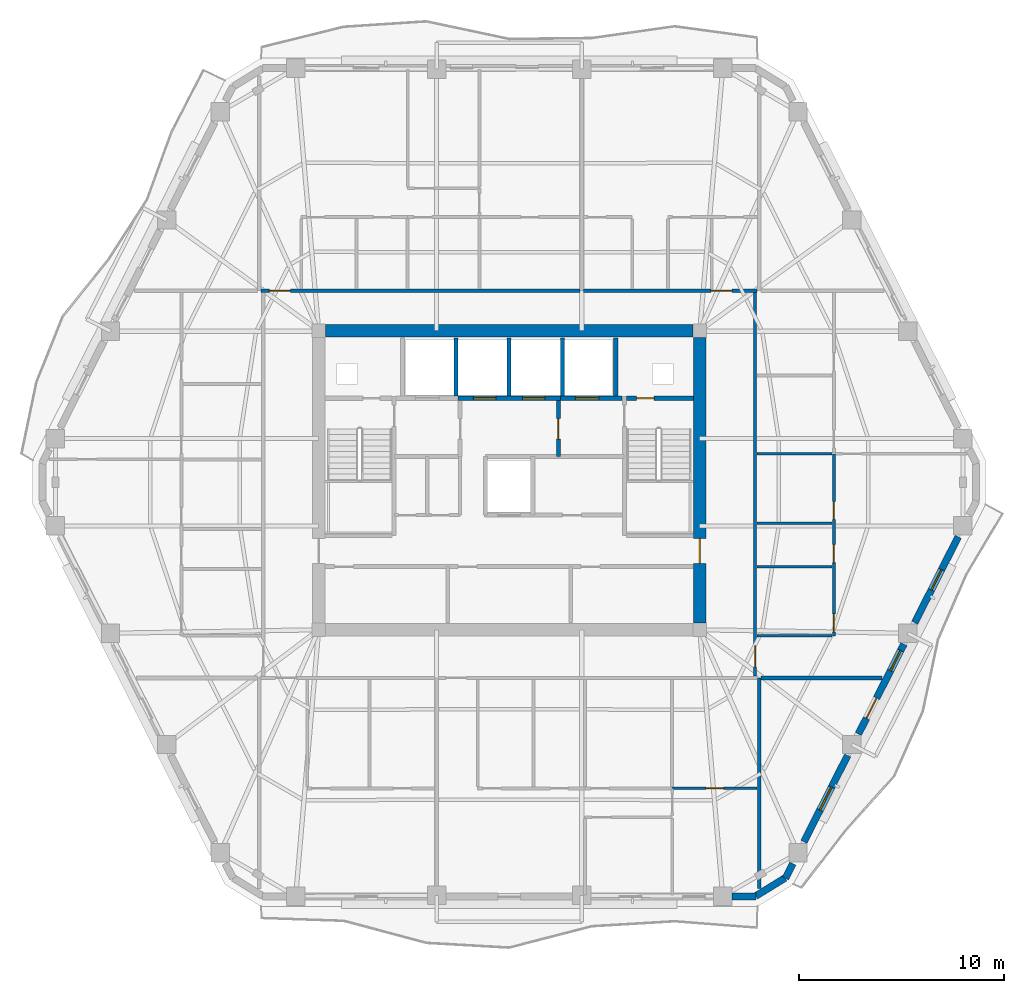
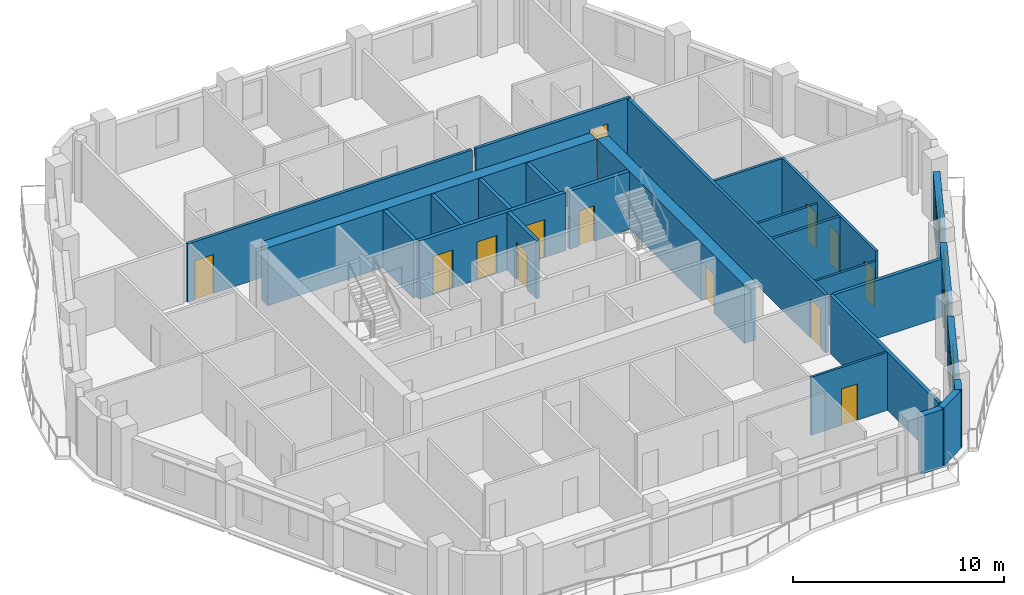
# One storey, part 6 of 11: 27 walls, 14 doors, 3 windows, 17 openings.
"""IFC4 building model written with IfcOpenShell, lengths in metres."""

from ifc_helpers import new_model, si_unit, direction, frame, frame_2d, origin, place, context, subcontext, project, spatial, rectangle, extrude, material, layer, layer_set, type_object, element, fill, save


model = new_model("IFC4")

# Units and contexts
model_context = context("Model", 3, precision=1e-05, world=origin(), true_north=direction((0.0, 1.0)))
body_context = subcontext(model_context, "Body", "Model", "MODEL_VIEW")
ifc_project = project(units=[si_unit("LENGTHUNIT", "METRE"), si_unit("AREAUNIT", "SQUARE_METRE"), si_unit("VOLUMEUNIT", "CUBIC_METRE"), si_unit("PLANEANGLEUNIT", "RADIAN"), si_unit("MASSUNIT", "GRAM", prefix="KILO")], contexts=[model_context])

# Site, building, storey
site_placement = place(None, origin())
site = spatial("IfcSite", under=ifc_project, at=site_placement, CompositionType="ELEMENT")
building_placement = place(site_placement, origin())
building = spatial("IfcBuilding", under=site, at=building_placement, Name="Cinnabar Lancet Tower", CompositionType="ELEMENT")
storey_placement = place(building_placement, frame((0.0, 0.0, 182.550048828125)))
storey = spatial("IfcBuildingStorey", under=building, at=storey_placement, Name="L48", CompositionType="ELEMENT", Elevation=182.550048828125)

# Wall, opening, door
ifc_material_1 = material(Name="Acoustic twin-stud gypsum partition", Category="gypsum")
ifc_layer_1 = layer(ifc_material_1, 0.159912109375)
ifc_layer_set_1 = layer_set([ifc_layer_1], Name="Acoustic twin-stud gypsum partition")
wall_type_1 = type_object("IfcWallType", Name="ARC-WL-CORR-160", PredefinedType="PARTITIONING", material=ifc_layer_set_1)
wall_1_placement = place(storey_placement, frame((20.294921875, 35.14990234375, 0.0), z_axis=(0.0, 0.0, 1.0), x_axis=(1.0, 0.0, 0.0)))
wall_1 = element("IfcWall", 1, at=wall_1_placement, inside=storey, type_object=wall_type_1, Name="L48 Unit N01 Corridor Wall", PredefinedType="PARTITIONING", context=body_context, shape_type="SweptSolid", body=[
    extrude(rectangle(XDim=15.552978515625, YDim=0.159912109375, at=frame_2d((7.7763671875, 0.0))), origin(), (0.0, 0.0, 1.0), 3.349853515625),
])
opening_1_placement = place(wall_1_placement, frame((0.405029296875, 0.0, 0.0)))
opening_1 = element("IfcOpeningElement", 2, at=opening_1_placement, cuts=wall_1, Name="Opening UD-01", PredefinedType="OPENING", context=body_context, shape_type="SweptSolid", body=[
    extrude(rectangle(XDim=1.02001953125, YDim=2.25, at=frame_2d((0.510009765625, 1.125))), frame((0.0, 0.08984375, 0.0), z_axis=(0.0, -1.0, 0.0), x_axis=(1.0, 0.0, 0.0)), (0.0, 0.0, 1.0), 0.179931640625),
])
ifc_material_2 = material(Name="Solid timber fire-rated apartment entrance door", Category="wood")
door_type_1 = type_object("IfcDoorType", Name="ARC-DR-UNIT", OperationType="NOTDEFINED", PredefinedType="DOOR", material=ifc_material_2)
door_1_placement = place(opening_1_placement, origin())
door_1 = element("IfcDoor", 3, at=door_1_placement, inside=storey, type_object=door_type_1, Name="DR-L48-N01-ENT", OperationType="SINGLE_SWING_LEFT", OverallHeight=2.25, OverallWidth=1.02001953125, PredefinedType="DOOR", context=body_context, shape_type="SweptSolid", body=[
    extrude(rectangle(XDim=1.02001953125, YDim=2.25, at=frame_2d((0.510009765625, 1.125))), frame((0.0, 0.02490234375, 0.0), z_axis=(0.0, -1.0, 0.0), x_axis=(1.0, 0.0, 0.0)), (0.0, 0.0, 1.0), 0.050048828125),
])
fill(opening_1, door_1)

wall_2_placement = place(storey_placement, frame((36.0380859375, 35.14990234375, 0.0), z_axis=(0.0, 0.0, 1.0), x_axis=(1.0, 0.0, 0.0)))
wall_2 = element("IfcWall", 4, at=wall_2_placement, inside=storey, type_object=wall_type_1, Name="L48 Unit N02 Corridor Wall", PredefinedType="PARTITIONING", context=body_context, shape_type="SweptSolid", body=[
    extrude(rectangle(XDim=8.466796875, YDim=0.159912109375, at=frame_2d((4.2333984375, 0.0))), origin(), (0.0, 0.0, 1.0), 3.349853515625),
])
opening_2_placement = place(wall_2_placement, frame((6.2119140625, 0.0, 0.0)))
opening_2 = element("IfcOpeningElement", 5, at=opening_2_placement, cuts=wall_2, Name="Opening UD-01", PredefinedType="OPENING", context=body_context, shape_type="SweptSolid", body=[
    extrude(rectangle(XDim=1.02001953125, YDim=2.25, at=frame_2d((0.510009765625, 1.125))), frame((0.0, 0.08984375, 0.0), z_axis=(0.0, -1.0, 0.0), x_axis=(1.0, 0.0, 0.0)), (0.0, 0.0, 1.0), 0.179931640625),
])
door_2_placement = place(opening_2_placement, origin())
door_2 = element("IfcDoor", 6, at=door_2_placement, inside=storey, type_object=door_type_1, Name="DR-L48-N02-ENT", OperationType="SINGLE_SWING_RIGHT", OverallHeight=2.25, OverallWidth=1.02001953125, PredefinedType="DOOR", context=body_context, shape_type="SweptSolid", body=[
    extrude(rectangle(XDim=1.02001953125, YDim=2.25, at=frame_2d((0.510009765625, 1.125))), frame((0.0, 0.02490234375, 0.0), z_axis=(0.0, -1.0, 0.0), x_axis=(1.0, 0.0, 0.0)), (0.0, 0.0, 1.0), 0.050048828125),
])
fill(opening_2, door_2)

wall_3_placement = place(storey_placement, frame((44.39990234375, 16.344970703125, 0.0), z_axis=(0.0, 0.0, 1.0), x_axis=(0.0, 1.0, 0.0)))
wall_3 = element("IfcWall", 7, at=wall_3_placement, inside=storey, type_object=wall_type_1, Name="UW-L48-E01-COR", PredefinedType="PARTITIONING", context=body_context, shape_type="SweptSolid", body=[
    extrude(rectangle(XDim=18.7099609375, YDim=0.159912109375, at=frame_2d((9.35498046875, 0.0))), origin(), (0.0, 0.0, 1.0), 3.349853515625),
])
opening_3_placement = place(wall_3_placement, frame((0.449951171875, 0.0, 0.0)))
opening_3 = element("IfcOpeningElement", 8, at=opening_3_placement, cuts=wall_3, Name="Opening UD-01", PredefinedType="OPENING", context=body_context, shape_type="SweptSolid", body=[
    extrude(rectangle(XDim=1.02001953125, YDim=2.25, at=frame_2d((0.510009765625, 1.125))), frame((0.0, 0.08984375, 0.0), z_axis=(0.0, -1.0, 0.0), x_axis=(1.0, 0.0, 0.0)), (0.0, 0.0, 1.0), 0.179931640625),
])
door_3_placement = place(opening_3_placement, origin())
door_3 = element("IfcDoor", 9, at=door_3_placement, inside=storey, type_object=door_type_1, Name="DR-L48-E01-ENT", OperationType="SINGLE_SWING_LEFT", OverallHeight=2.25, OverallWidth=1.02001953125, PredefinedType="DOOR", context=body_context, shape_type="SweptSolid", body=[
    extrude(rectangle(XDim=1.02001953125, YDim=2.25, at=frame_2d((0.510009765625, 1.125))), frame((0.0, 0.02490234375, 0.0), z_axis=(0.0, -1.0, 0.0), x_axis=(1.0, 0.0, 0.0)), (0.0, 0.0, 1.0), 0.050048828125),
])
fill(opening_3, door_3)

# Walls
ifc_material_3 = material(Name="Fire-rated twin-frame acoustic drywall", Category="gypsum")
ifc_layer_2 = layer(ifc_material_3, 0.179931640625)
ifc_layer_set_2 = layer_set([ifc_layer_2], Name="Fire-rated twin-frame acoustic drywall")
wall_type_2 = type_object("IfcWallType", Name="ARC-WL-PARTY-180", PredefinedType="PARTITIONING", material=ifc_layer_set_2)
wall_4_placement = place(storey_placement, frame((44.60009765625, 5.968017578125, 0.0), z_axis=(0.0, 0.0, 1.0), x_axis=(0.0, 1.0, 0.0)))
element("IfcWall", 10, at=wall_4_placement, inside=storey, type_object=wall_type_2, Name="PW-L48-SPTY-446", PredefinedType="PARTITIONING", context=body_context, shape_type="SweptSolid", body=[
    extrude(rectangle(XDim=10.281982421875, YDim=0.179931640625, at=frame_2d((5.14111328125, 0.0))), origin(), (0.0, 0.0, 1.0), 3.349853515625),
])
wall_5_placement = place(storey_placement, frame((44.695068359375, 16.25, 0.0), z_axis=(0.0, 0.0, 1.0), x_axis=(1.0, 0.0, 0.0)))
element("IfcWall", 11, at=wall_5_placement, inside=storey, type_object=wall_type_2, Name="PW-L48-ESB", PredefinedType="PARTITIONING", context=body_context, shape_type="SweptSolid", body=[
    extrude(rectangle(XDim=5.89404296875, YDim=0.179931640625, at=frame_2d((2.947021484375, 0.0))), origin(), (0.0, 0.0, 1.0), 3.349853515625),
])

# Wall, openings, doors
ifc_material_4 = material(Name="Autoclaved aerated concrete blockwork", Category="masonry")
ifc_layer_3 = layer(ifc_material_4, 0.199951171875)
ifc_layer_set_3 = layer_set([ifc_layer_3], Name="Autoclaved aerated concrete blockwork")
wall_type_3 = type_object("IfcWallType", Name="ARC-WL-SHAFT-200", PredefinedType="PLUMBINGWALL", material=ifc_layer_set_3)
wall_6_placement = place(storey_placement, frame((29.89990234375, 29.89990234375, 0.0), z_axis=(0.0, 0.0, 1.0), x_axis=(1.0, 0.0, 0.0)))
wall_6 = element("IfcWall", 12, at=wall_6_placement, inside=storey, type_object=wall_type_3, Name="CW-PL78-L48", PredefinedType="PLUMBINGWALL", context=body_context, shape_type="SweptSolid", body=[
    extrude(rectangle(XDim=5.0, YDim=0.199951171875, at=frame_2d((2.5, 0.0))), origin(), (0.0, 0.0, 1.0), 3.349853515625),
])
opening_4_placement = place(wall_6_placement, frame((0.75, 0.0, 0.0)))
opening_4 = element("IfcOpeningElement", 13, at=opening_4_placement, cuts=wall_6, Name="Opening LD-01", PredefinedType="OPENING", context=body_context, shape_type="SweptSolid", body=[
    extrude(rectangle(XDim=1.10009765625, YDim=2.199951171875, at=frame_2d((0.550048828125, 1.10009765625))), frame((0.0, 0.10986328125, 0.0), z_axis=(0.0, -1.0, 0.0), x_axis=(1.0, 0.0, 0.0)), (0.0, 0.0, 1.0), 0.219970703125),
])
opening_5_placement = place(wall_6_placement, frame((3.14990234375, 0.0, 0.0)))
opening_5 = element("IfcOpeningElement", 14, at=opening_5_placement, cuts=wall_6, Name="Opening LD-01", PredefinedType="OPENING", context=body_context, shape_type="SweptSolid", body=[
    extrude(rectangle(XDim=1.10009765625, YDim=2.199951171875, at=frame_2d((0.550048828125, 1.10009765625))), frame((0.0, 0.10986328125, 0.0), z_axis=(0.0, -1.0, 0.0), x_axis=(1.0, 0.0, 0.0)), (0.0, 0.0, 1.0), 0.219970703125),
])
ifc_material_5 = material(Name="Brushed stainless steel sliding lift door", Category="steel")
door_type_2 = type_object("IfcDoorType", Name="ARC-DR-LD-PASS", OperationType="NOTDEFINED", PredefinedType="DOOR", material=ifc_material_5)
door_4_placement = place(opening_4_placement, origin())
door_4 = element("IfcDoor", 15, at=door_4_placement, inside=storey, type_object=door_type_2, Name="L48 Lift PL-7 Landing Door", OperationType="DOUBLE_DOOR_SLIDING", OverallHeight=2.199951171875, OverallWidth=1.10009765625, PredefinedType="DOOR", context=body_context, shape_type="SweptSolid", body=[
    extrude(rectangle(XDim=1.10009765625, YDim=2.199951171875, at=frame_2d((0.550048828125, 1.10009765625))), frame((0.0, 0.02490234375, 0.0), z_axis=(0.0, -1.0, 0.0), x_axis=(1.0, 0.0, 0.0)), (0.0, 0.0, 1.0), 0.050048828125),
])
fill(opening_4, door_4)
door_5_placement = place(opening_5_placement, origin())
door_5 = element("IfcDoor", 16, at=door_5_placement, inside=storey, type_object=door_type_2, Name="L48 Lift PL-8 Landing Door", OperationType="DOUBLE_DOOR_SLIDING", OverallHeight=2.199951171875, OverallWidth=1.10009765625, PredefinedType="DOOR", context=body_context, shape_type="SweptSolid", body=[
    extrude(rectangle(XDim=1.10009765625, YDim=2.199951171875, at=frame_2d((0.550048828125, 1.10009765625))), frame((0.0, 0.02490234375, 0.0), z_axis=(0.0, -1.0, 0.0), x_axis=(1.0, 0.0, 0.0)), (0.0, 0.0, 1.0), 0.050048828125),
])
fill(opening_5, door_5)

# Wall, opening, door
wall_7_placement = place(storey_placement, frame((34.89990234375, 29.89990234375, 0.0), z_axis=(0.0, 0.0, 1.0), x_axis=(1.0, 0.0, 0.0)))
wall_7 = element("IfcWall", 17, at=wall_7_placement, inside=storey, type_object=wall_type_3, Name="CW-FL2-L48", PredefinedType="PLUMBINGWALL", context=body_context, shape_type="SweptSolid", body=[
    extrude(rectangle(XDim=3.01513671875, YDim=0.199951171875, at=frame_2d((1.507568359375, 0.0))), origin(), (0.0, 0.0, 1.0), 3.349853515625),
])
opening_6_placement = place(wall_7_placement, frame((0.72509765625, 0.0, 0.0)))
opening_6 = element("IfcOpeningElement", 18, at=opening_6_placement, cuts=wall_7, Name="Opening LD-02", PredefinedType="OPENING", context=body_context, shape_type="SweptSolid", body=[
    extrude(rectangle(XDim=1.14990234375, YDim=2.199951171875, at=frame_2d((0.574951171875, 1.10009765625))), frame((0.0, 0.10986328125, 0.0), z_axis=(0.0, -1.0, 0.0), x_axis=(1.0, 0.0, 0.0)), (0.0, 0.0, 1.0), 0.219970703125),
])
ifc_material_6 = material(Name="Fire-rated stainless steel firefighting lift landing door", Category="steel")
door_type_3 = type_object("IfcDoorType", Name="ARC-DR-LD-FIRE", OperationType="NOTDEFINED", PredefinedType="DOOR", material=ifc_material_6)
door_6_placement = place(opening_6_placement, origin())
door_6 = element("IfcDoor", 19, at=door_6_placement, inside=storey, type_object=door_type_3, Name="L48 Firefighting Lift FL-2 Landing Door", OperationType="DOUBLE_DOOR_SLIDING", OverallHeight=2.199951171875, OverallWidth=1.14990234375, PredefinedType="DOOR", context=body_context, shape_type="SweptSolid", body=[
    extrude(rectangle(XDim=1.14990234375, YDim=2.199951171875, at=frame_2d((0.574951171875, 1.10009765625))), frame((0.0, 0.02490234375, 0.0), z_axis=(0.0, -1.0, 0.0), x_axis=(1.0, 0.0, 0.0)), (0.0, 0.0, 1.0), 0.050048828125),
])
fill(opening_6, door_6)

wall_8_placement = place(storey_placement, frame((38.125, 29.89990234375, 0.0), z_axis=(0.0, 0.0, 1.0), x_axis=(1.0, 0.0, 0.0)))
wall_8 = element("IfcWall", 20, at=wall_8_placement, inside=storey, type_object=wall_type_3, Name="CW-NSH-E-L48", PredefinedType="PLUMBINGWALL", context=body_context, shape_type="SweptSolid", body=[
    extrude(rectangle(XDim=3.27001953125, YDim=0.199951171875, at=frame_2d((1.635009765625, 0.0))), origin(), (0.0, 0.0, 1.0), 3.349853515625),
])
opening_7_placement = place(wall_8_placement, frame((0.5, 0.0, 0.0)))
opening_7 = element("IfcOpeningElement", 21, at=opening_7_placement, cuts=wall_8, Name="Opening PD-02", PredefinedType="OPENING", context=body_context, shape_type="SweptSolid", body=[
    extrude(rectangle(XDim=0.85009765625, YDim=2.050048828125, at=frame_2d((0.425048828125, 1.02490234375))), frame((0.0, 0.10986328125, 0.0), z_axis=(0.0, -1.0, 0.0), x_axis=(1.0, 0.0, 0.0)), (0.0, 0.0, 1.0), 0.219970703125),
])
ifc_material_7 = material(Name="Fire-rated steel riser access door", Category="steel")
door_type_4 = type_object("IfcDoorType", Name="ARC-DR-RISER", OperationType="NOTDEFINED", PredefinedType="DOOR", material=ifc_material_7)
door_7_placement = place(opening_7_placement, origin())
door_7 = element("IfcDoor", 22, at=door_7_placement, inside=storey, type_object=door_type_4, Name="L48 East Riser Access Door", OperationType="SINGLE_SWING_RIGHT", OverallHeight=2.050048828125, OverallWidth=0.85009765625, PredefinedType="DOOR", context=body_context, shape_type="SweptSolid", body=[
    extrude(rectangle(XDim=0.85009765625, YDim=2.050048828125, at=frame_2d((0.425048828125, 1.02490234375))), frame((0.0, 0.02490234375, 0.0), z_axis=(0.0, -1.0, 0.0), x_axis=(1.0, 0.0, 0.0)), (0.0, 0.0, 1.0), 0.050048828125),
])
fill(opening_7, door_7)

# Walls
for number, where, z_axis, x_axis, name in (
    (23, (29.800048828125, 30.0, 0.0), (0.0, 0.0, 1.0), (0.0, 1.0, 0.0), "CW-NSH-D2-L48"),
    (24, (32.39990234375, 30.0, 0.0), (0.0, 0.0, 1.0), (0.0, 1.0, 0.0), "CW-NSH-D3-L48"),
    (25, (35.0, 30.0, 0.0), (0.0, 0.0, 1.0), (0.0, 1.0, 0.0), "CW-NSH-D4-L48"),
    (26, (37.60009765625, 30.0, 0.0), (0.0, 0.0, 1.0), (0.0, 1.0, 0.0), "CW-NSH-D5-L48"),
):
    element("IfcWall", number, at=place(storey_placement, frame(where, z_axis=z_axis, x_axis=x_axis)), inside=storey, type_object=wall_type_3, Name=name, PredefinedType="PLUMBINGWALL", context=body_context, shape_type="SweptSolid", body=[
        extrude(rectangle(XDim=2.85009765625, YDim=0.199951171875, at=frame_2d((1.425048828125, 0.0))), origin(), (0.0, 0.0, 1.0), 3.349853515625),
    ])

# Wall, opening, door
wall_9_placement = place(storey_placement, frame((34.800048828125, 27.050048828125, 0.0), z_axis=(0.0, 0.0, 1.0), x_axis=(0.0, 1.0, 0.0)))
wall_9 = element("IfcWall", 27, at=wall_9_placement, inside=storey, type_object=wall_type_3, Name="CW-FF2W-L48", PredefinedType="PLUMBINGWALL", context=body_context, shape_type="SweptSolid", body=[
    extrude(rectangle(XDim=2.75, YDim=0.199951171875, at=frame_2d((1.375, 0.0))), origin(), (0.0, 0.0, 1.0), 3.349853515625),
])
opening_8_placement = place(wall_9_placement, frame((0.85009765625, 0.0, 0.0)))
opening_8 = element("IfcOpeningElement", 28, at=opening_8_placement, cuts=wall_9, Name="Opening FD-01", PredefinedType="OPENING", context=body_context, shape_type="SweptSolid", body=[
    extrude(rectangle(XDim=1.0, YDim=2.14990234375, at=frame_2d((0.5, 1.074951171875))), frame((0.0, 0.10986328125, 0.0), z_axis=(0.0, -1.0, 0.0), x_axis=(1.0, 0.0, 0.0)), (0.0, 0.0, 1.0), 0.219970703125),
])
ifc_material_8 = material(Name="Fire-rated timber-core lobby door", Category="wood")
door_type_5 = type_object("IfcDoorType", Name="ARC-DR-FFAL", OperationType="NOTDEFINED", PredefinedType="DOOR", material=ifc_material_8)
door_8_placement = place(opening_8_placement, origin())
door_8 = element("IfcDoor", 29, at=door_8_placement, inside=storey, type_object=door_type_5, Name="L48 FFAL-2 Lobby Fire Door", OperationType="SINGLE_SWING_LEFT", OverallHeight=2.14990234375, OverallWidth=1.0, PredefinedType="DOOR", context=body_context, shape_type="SweptSolid", body=[
    extrude(rectangle(XDim=1.0, YDim=2.14990234375, at=frame_2d((0.5, 1.074951171875))), frame((0.0, 0.02490234375, 0.0), z_axis=(0.0, -1.0, 0.0), x_axis=(1.0, 0.0, 0.0)), (0.0, 0.0, 1.0), 0.050048828125),
])
fill(opening_8, door_8)

ifc_material_9 = material(Name="Gypsum plasterboard stud partition", Category="gypsum")
ifc_layer_4 = layer(ifc_material_9, 0.125)
ifc_layer_set_4 = layer_set([ifc_layer_4], Name="Gypsum plasterboard stud partition")
wall_type_4 = type_object("IfcWallType", Name="ARC-WL-UNIT-125", PredefinedType="PARTITIONING", material=ifc_layer_set_4)
wall_10_placement = place(storey_placement, frame((40.34912109375, 10.85595703125, 0.0), z_axis=(0.0, 0.0, 1.0), x_axis=(1.0, 0.0, 0.0)))
wall_10 = element("IfcWall", 30, at=wall_10_placement, inside=storey, type_object=wall_type_4, Name="UW-L48-S02-SP2", PredefinedType="PARTITIONING", context=body_context, shape_type="SweptSolid", body=[
    extrude(rectangle(XDim=4.15576171875, YDim=0.125, at=frame_2d((2.077880859375, 0.0))), origin(), (0.0, 0.0, 1.0), 3.349853515625),
])
opening_9_placement = place(wall_10_placement, frame((1.653076171875, 0.0, 0.0)))
opening_9 = element("IfcOpeningElement", 31, at=opening_9_placement, cuts=wall_10, Name="Opening BD-01", PredefinedType="OPENING", context=body_context, shape_type="SweptSolid", body=[
    extrude(rectangle(XDim=0.860107421875, YDim=2.10009765625, at=frame_2d((0.43017578125, 1.050048828125))), frame((0.0, 0.072509765625, 0.0), z_axis=(0.0, -1.0, 0.0), x_axis=(1.0, 0.0, 0.0)), (0.0, 0.0, 1.0), 0.14501953125),
])
ifc_material_10 = material(Name="Moisture-resistant timber bathroom door", Category="wood")
door_type_6 = type_object("IfcDoorType", Name="ARC-DR-BATH", OperationType="NOTDEFINED", PredefinedType="DOOR", material=ifc_material_10)
door_9_placement = place(opening_9_placement, origin())
door_9 = element("IfcDoor", 32, at=door_9_placement, inside=storey, type_object=door_type_6, Name="DR-L48-S02-ENS", OperationType="SINGLE_SWING_LEFT", OverallHeight=2.10009765625, OverallWidth=0.860107421875, PredefinedType="DOOR", context=body_context, shape_type="SweptSolid", body=[
    extrude(rectangle(XDim=0.860107421875, YDim=2.10009765625, at=frame_2d((0.43017578125, 1.050048828125))), frame((0.0, 0.02490234375, 0.0), z_axis=(0.0, -1.0, 0.0), x_axis=(1.0, 0.0, 0.0)), (0.0, 0.0, 1.0), 0.050048828125),
])
fill(opening_9, door_9)

# Walls
for number, where, z_axis, x_axis, name in (
    (33, (44.485107421875, 18.300048828125, 0.0), (0.0, 0.0, 1.0), (1.0, 0.0, 0.0), "UW-L48-E01-FOYN"),
    (34, (44.485107421875, 23.7890625, 0.0), (0.0, 0.0, 1.0), (1.0, 0.0, 0.0), "UW-L48-E01-UDV"),
):
    element("IfcWall", number, at=place(storey_placement, frame(where, z_axis=z_axis, x_axis=x_axis)), inside=storey, type_object=wall_type_4, Name=name, PredefinedType="PARTITIONING", context=body_context, shape_type="SweptSolid", body=[
        extrude(rectangle(XDim=3.679931640625, YDim=0.125, at=frame_2d((1.83984375, 0.0))), origin(), (0.0, 0.0, 1.0), 2.806884765625),
    ])

# Wall, openings, doors
ifc_material_11 = material(Name="Moisture-resistant cement-board plumbing wall", Category="masonry")
ifc_layer_5 = layer(ifc_material_11, 0.139892578125)
ifc_layer_set_5 = layer_set([ifc_layer_5], Name="Moisture-resistant cement-board plumbing wall")
wall_type_5 = type_object("IfcWallType", Name="ARC-WL-WET-140", PredefinedType="PLUMBINGWALL", material=ifc_layer_set_5)
wall_11_placement = place(storey_placement, frame((48.25, 18.300048828125, 0.0), z_axis=(0.0, 0.0, 1.0), x_axis=(0.0, 1.0, 0.0)))
wall_11 = element("IfcWall", 35, at=wall_11_placement, inside=storey, type_object=wall_type_5, Name="UW-L48-E01-SPL", PredefinedType="PLUMBINGWALL", context=body_context, shape_type="SweptSolid", body=[
    extrude(rectangle(XDim=8.888916015625, YDim=0.139892578125, at=frame_2d((4.4443359375, 0.0))), origin(), (0.0, 0.0, 1.0), 3.349853515625),
])
opening_10_placement = place(wall_11_placement, frame((0.199951171875, 0.0, 0.0)))
opening_10 = element("IfcOpeningElement", 36, at=opening_10_placement, cuts=wall_11, Name="Opening RD-02", PredefinedType="OPENING", context=body_context, shape_type="SweptSolid", body=[
    extrude(rectangle(XDim=0.8798828125, YDim=2.14990234375, at=frame_2d((0.43994140625, 1.074951171875))), frame((0.0, 0.079833984375, 0.0), z_axis=(0.0, -1.0, 0.0), x_axis=(1.0, 0.0, 0.0)), (0.0, 0.0, 1.0), 0.159912109375),
])
opening_11_placement = place(wall_11_placement, frame((3.577880859375, 0.0, 0.0)))
opening_11 = element("IfcOpeningElement", 37, at=opening_11_placement, cuts=wall_11, Name="Opening RD-02", PredefinedType="OPENING", context=body_context, shape_type="SweptSolid", body=[
    extrude(rectangle(XDim=0.8798828125, YDim=2.14990234375, at=frame_2d((0.43994140625, 1.074951171875))), frame((0.0, 0.079833984375, 0.0), z_axis=(0.0, -1.0, 0.0), x_axis=(1.0, 0.0, 0.0)), (0.0, 0.0, 1.0), 0.159912109375),
])
opening_12_placement = place(wall_11_placement, frame((5.68896484375, 0.0, 0.0)))
opening_12 = element("IfcOpeningElement", 38, at=opening_12_placement, cuts=wall_11, Name="Opening BD-01", PredefinedType="OPENING", context=body_context, shape_type="SweptSolid", body=[
    extrude(rectangle(XDim=0.860107421875, YDim=2.10009765625, at=frame_2d((0.43017578125, 1.050048828125))), frame((0.0, 0.079833984375, 0.0), z_axis=(0.0, -1.0, 0.0), x_axis=(1.0, 0.0, 0.0)), (0.0, 0.0, 1.0), 0.159912109375),
])
door_10_placement = place(opening_12_placement, origin())
door_10 = element("IfcDoor", 39, at=door_10_placement, inside=storey, type_object=door_type_6, Name="DR-L48-E01-BTH", OperationType="SINGLE_SWING_RIGHT", OverallHeight=2.10009765625, OverallWidth=0.860107421875, PredefinedType="DOOR", context=body_context, shape_type="SweptSolid", body=[
    extrude(rectangle(XDim=0.860107421875, YDim=2.10009765625, at=frame_2d((0.43017578125, 1.050048828125))), frame((0.0, 0.02490234375, 0.0), z_axis=(0.0, -1.0, 0.0), x_axis=(1.0, 0.0, 0.0)), (0.0, 0.0, 1.0), 0.050048828125),
])
fill(opening_12, door_10)
ifc_material_12 = material(Name="Engineered timber study door", Category="wood")
door_type_7 = type_object("IfcDoorType", Name="ARC-DR-STUDY", OperationType="NOTDEFINED", PredefinedType="DOOR", material=ifc_material_12)
door_11_placement = place(opening_10_placement, origin())
door_11 = element("IfcDoor", 40, at=door_11_placement, inside=storey, type_object=door_type_7, Name="DR-L48-E01-KIT", OperationType="SINGLE_SWING_RIGHT", OverallHeight=2.14990234375, OverallWidth=0.8798828125, PredefinedType="DOOR", context=body_context, shape_type="SweptSolid", body=[
    extrude(rectangle(XDim=0.8798828125, YDim=2.14990234375, at=frame_2d((0.43994140625, 1.074951171875))), frame((0.0, 0.02490234375, 0.0), z_axis=(0.0, -1.0, 0.0), x_axis=(1.0, 0.0, 0.0)), (0.0, 0.0, 1.0), 0.050048828125),
])
fill(opening_10, door_11)
door_12_placement = place(opening_11_placement, origin())
door_12 = element("IfcDoor", 41, at=door_12_placement, inside=storey, type_object=door_type_7, Name="DR-L48-E01-UTL", OperationType="SINGLE_SWING_LEFT", OverallHeight=2.14990234375, OverallWidth=0.8798828125, PredefinedType="DOOR", context=body_context, shape_type="SweptSolid", body=[
    extrude(rectangle(XDim=0.8798828125, YDim=2.14990234375, at=frame_2d((0.43994140625, 1.074951171875))), frame((0.0, 0.02490234375, 0.0), z_axis=(0.0, -1.0, 0.0), x_axis=(1.0, 0.0, 0.0)), (0.0, 0.0, 1.0), 0.050048828125),
])
fill(opening_11, door_12)

# Walls
for number, where, z_axis, x_axis, name in (
    (42, (44.485107421875, 27.18896484375, 0.0), (0.0, 0.0, 1.0), (1.0, 0.0, 0.0), "UW-L48-E01-ENSN"),
    (43, (44.485107421875, 21.677978515625, 0.0), (0.0, 0.0, 1.0), (1.0, 0.0, 0.0), "UW-L48-E01-KDV"),
):
    element("IfcWall", number, at=place(storey_placement, frame(where, z_axis=z_axis, x_axis=x_axis)), inside=storey, type_object=wall_type_5, Name=name, PredefinedType="PLUMBINGWALL", context=body_context, shape_type="SweptSolid", body=[
        extrude(rectangle(XDim=3.679931640625, YDim=0.139892578125, at=frame_2d((1.83984375, 0.0))), origin(), (0.0, 0.0, 1.0), 3.349853515625),
    ])
ifc_material_13 = material(Name="Cinnabar red clay brick", Category="masonry")
ifc_layer_6 = layer(ifc_material_13, 0.340087890625)
ifc_layer_set_6 = layer_set([ifc_layer_6], Name="Cinnabar red clay brick")
wall_type_6 = type_object("IfcWallType", Name="ENV-WL-BRK-RED-340", PredefinedType="STANDARD", material=ifc_layer_set_6)
wall_12_placement = place(storey_placement, frame((44.43310546875, 5.60498046875, 0.0), z_axis=(0.0, 0.0, 1.0), x_axis=(0.851778214877, 0.523902541185, 0.0)))
element("IfcWall", 44, at=wall_12_placement, inside=storey, type_object=wall_type_6, Name="L48 Chamfered Corner Brick Pier 2.1", PredefinedType="STANDARD", context=body_context, shape_type="SweptSolid", body=[
    extrude(rectangle(XDim=1.677734375, YDim=0.340087890625, at=frame_2d((0.8388671875, 0.0))), origin(), (0.0, 0.0, 1.0), 3.349853515625),
])
wall_13_placement = place(storey_placement, frame((43.27490234375, 5.580078125, 0.0), z_axis=(0.0, 0.0, 1.0), x_axis=(1.0, 0.0, 0.0)))
element("IfcWall", 45, at=wall_13_placement, inside=storey, type_object=wall_type_6, Name="L48 Face 1 Masonry Bay Wall 5", PredefinedType="STANDARD", context=body_context, shape_type="SweptSolid", body=[
    extrude(rectangle(XDim=1.1630859375, YDim=0.340087890625, at=frame_2d((0.58154296875, 0.0))), origin(), (0.0, 0.0, 1.0), 3.349853515625),
])
wall_14_placement = place(storey_placement, frame((45.882080078125, 6.468017578125, 0.0), z_axis=(0.0, 0.0, 1.0), x_axis=(0.451691568309, 0.892174157392, 0.0)))
element("IfcWall", 46, at=wall_14_placement, inside=storey, type_object=wall_type_6, Name="L48 Face 2 Masonry Bay Wall 1", PredefinedType="STANDARD", context=body_context, shape_type="SweptSolid", body=[
    extrude(rectangle(XDim=0.805908203125, YDim=0.340087890625, at=frame_2d((0.40283203125, 0.0))), origin(), (0.0, 0.0, 1.0), 3.349853515625),
])

# Wall, opening, window
wall_15_placement = place(storey_placement, frame((46.782958984375, 8.2490234375, 0.0), z_axis=(0.0, 0.0, 1.0), x_axis=(0.451522864045, 0.892259549259, 0.0)))
wall_15 = element("IfcWall", 47, at=wall_15_placement, inside=storey, type_object=wall_type_6, Name="L48 Face 2 Masonry Bay Wall 2", PredefinedType="STANDARD", context=body_context, shape_type="SweptSolid", body=[
    extrude(rectangle(XDim=4.730712890625, YDim=0.340087890625, at=frame_2d((2.365234375, 0.0))), origin(), (0.0, 0.0, 1.0), 2.883056640625),
])
opening_13_placement = place(wall_15_placement, frame((1.739990234375, 0.0, 0.75)))
opening_13 = element("IfcOpeningElement", 48, at=opening_13_placement, cuts=wall_15, Name="Opening WN-03", PredefinedType="OPENING", context=body_context, shape_type="SweptSolid", body=[
    extrude(rectangle(XDim=1.25, YDim=1.949951171875, at=frame_2d((0.625, 0.97509765625))), frame((0.0, 0.179931640625, 0.0), z_axis=(0.0, -1.0, 0.0), x_axis=(1.0, 0.0, 0.0)), (0.0, 0.0, 1.0), 0.360107421875),
])
ifc_material_14 = material(Name="Thermally broken bronze-anodized aluminium low-E double glazing", Category="aluminium")
window_type_1 = type_object("IfcWindowType", Name="ENV-WN-LANCET-1250", PartitioningType="SINGLE_PANEL", PredefinedType="WINDOW", material=ifc_material_14)
window_1_placement = place(opening_13_placement, origin())
window_1 = element("IfcWindow", 49, at=window_1_placement, inside=storey, type_object=window_type_1, Name="L48 Face 2 Gothic Lancet Window 2", OverallHeight=1.949951171875, OverallWidth=1.25, PartitioningType="SINGLE_PANEL", PredefinedType="WINDOW", context=body_context, shape_type="SweptSolid", body=[
    extrude(rectangle(XDim=1.25, YDim=1.949951171875, at=frame_2d((0.625, 0.97509765625))), frame((0.0, 0.030029296875, 0.0), z_axis=(0.0, -1.0, 0.0), x_axis=(1.0, 0.0, 0.0)), (0.0, 0.0, 1.0), 0.06005859375),
])
fill(opening_13, window_1)

# Wall, openings, door, window
wall_16_placement = place(storey_placement, frame((49.447998046875, 13.51708984375, 0.0), z_axis=(0.0, 0.0, 1.0), x_axis=(0.451544279509, 0.892248711763, 0.0)))
wall_16 = element("IfcWall", 50, at=wall_16_placement, inside=storey, type_object=wall_type_6, Name="L48 Face 2 Masonry Bay Wall 3", PredefinedType="STANDARD", context=body_context, shape_type="SweptSolid", body=[
    extrude(rectangle(XDim=4.909912109375, YDim=0.340087890625, at=frame_2d((2.455078125, 0.0))), origin(), (0.0, 0.0, 1.0), 2.883056640625),
])
opening_14_placement = place(wall_16_placement, frame((0.85595703125, 0.0, 0.0)))
opening_14 = element("IfcOpeningElement", 51, at=opening_14_placement, cuts=wall_16, Name="Opening TD-01", PredefinedType="OPENING", context=body_context, shape_type="SweptSolid", body=[
    extrude(rectangle(XDim=1.10009765625, YDim=2.25, at=frame_2d((0.550048828125, 1.125))), frame((0.0, 0.179931640625, 0.0), z_axis=(0.0, -1.0, 0.0), x_axis=(1.0, 0.0, 0.0)), (0.0, 0.0, 1.0), 0.360107421875),
])
opening_15_placement = place(wall_16_placement, frame((3.45703125, 0.0, 0.75)))
opening_15 = element("IfcOpeningElement", 52, at=opening_15_placement, cuts=wall_16, Name="Opening WN-04", PredefinedType="OPENING", context=body_context, shape_type="SweptSolid", body=[
    extrude(rectangle(XDim=1.10009765625, YDim=1.98291015625, at=frame_2d((0.550048828125, 0.991455078125))), frame((0.0, 0.179931640625, 0.0), z_axis=(0.0, -1.0, 0.0), x_axis=(1.0, 0.0, 0.0)), (0.0, 0.0, 1.0), 0.360107421875),
])
ifc_material_15 = material(Name="Thermally broken low-E glazed balcony terrace door", Category="wood")
door_type_8 = type_object("IfcDoorType", Name="ARC-DR-BALC", OperationType="NOTDEFINED", PredefinedType="DOOR", material=ifc_material_15)
door_13_placement = place(opening_14_placement, origin())
door_13 = element("IfcDoor", 53, at=door_13_placement, inside=storey, type_object=door_type_8, Name="L48 Face 2 Glazed Terrace Door", OperationType="SINGLE_SWING_RIGHT", OverallHeight=2.25, OverallWidth=1.10009765625, PredefinedType="DOOR", context=body_context, shape_type="SweptSolid", body=[
    extrude(rectangle(XDim=1.10009765625, YDim=2.25, at=frame_2d((0.550048828125, 1.125))), frame((0.0, 0.02490234375, 0.0), z_axis=(0.0, -1.0, 0.0), x_axis=(1.0, 0.0, 0.0)), (0.0, 0.0, 1.0), 0.050048828125),
])
fill(opening_14, door_13)
ifc_material_16 = material(Name="Thermally broken bronze-anodized aluminium tall lancet window", Category="aluminium")
window_type_2 = type_object("IfcWindowType", Name="ENV-WN-LANCET-1100", PartitioningType="SINGLE_PANEL", PredefinedType="WINDOW", material=ifc_material_16)
window_2_placement = place(opening_15_placement, origin())
window_2 = element("IfcWindow", 54, at=window_2_placement, inside=storey, type_object=window_type_2, Name="L48 Split-Bay Gothic Lancet Window 148", OverallHeight=1.98291015625, OverallWidth=1.10009765625, PartitioningType="SINGLE_PANEL", PredefinedType="WINDOW", context=body_context, shape_type="SweptSolid", body=[
    extrude(rectangle(XDim=1.10009765625, YDim=1.98291015625, at=frame_2d((0.550048828125, 0.991455078125))), frame((0.0, 0.030029296875, 0.0), z_axis=(0.0, -1.0, 0.0), x_axis=(1.0, 0.0, 0.0)), (0.0, 0.0, 1.0), 0.06005859375),
])
fill(opening_15, window_2)

# Wall, opening, window
wall_17_placement = place(storey_placement, frame((52.193115234375, 18.943115234375, 0.0), z_axis=(0.0, 0.0, 1.0), x_axis=(0.451447222193, 0.892297823361, 0.0)))
wall_17 = element("IfcWall", 55, at=wall_17_placement, inside=storey, type_object=wall_type_6, Name="L48 Face 2 Masonry Bay Wall 4", PredefinedType="STANDARD", context=body_context, shape_type="SweptSolid", body=[
    extrude(rectangle(XDim=4.699951171875, YDim=0.340087890625, at=frame_2d((2.35009765625, 0.0))), origin(), (0.0, 0.0, 1.0), 2.883056640625),
])
opening_16_placement = place(wall_17_placement, frame((1.800048828125, 0.0, 0.75)))
opening_16 = element("IfcOpeningElement", 56, at=opening_16_placement, cuts=wall_17, Name="Opening WN-04", PredefinedType="OPENING", context=body_context, shape_type="SweptSolid", body=[
    extrude(rectangle(XDim=1.10009765625, YDim=1.98291015625, at=frame_2d((0.550048828125, 0.991455078125))), frame((0.0, 0.179931640625, 0.0), z_axis=(0.0, -1.0, 0.0), x_axis=(1.0, 0.0, 0.0)), (0.0, 0.0, 1.0), 0.360107421875),
])
window_3_placement = place(opening_16_placement, origin())
window_3 = element("IfcWindow", 57, at=window_3_placement, inside=storey, type_object=window_type_2, Name="L48 Face 2 Gothic Lancet Window 4", OverallHeight=1.98291015625, OverallWidth=1.10009765625, PartitioningType="SINGLE_PANEL", PredefinedType="WINDOW", context=body_context, shape_type="SweptSolid", body=[
    extrude(rectangle(XDim=1.10009765625, YDim=1.98291015625, at=frame_2d((0.550048828125, 0.991455078125))), frame((0.0, 0.030029296875, 0.0), z_axis=(0.0, -1.0, 0.0), x_axis=(1.0, 0.0, 0.0)), (0.0, 0.0, 1.0), 0.06005859375),
])
fill(opening_16, window_3)

# Wall
ifc_material_17 = material(Name="Concrete C60/75", Category="concrete")
ifc_layer_7 = layer(ifc_material_17, 0.60009765625)
ifc_layer_set_7 = layer_set([ifc_layer_7], Name="Concrete C60/75")
wall_type_7 = type_object("IfcWallType", Name="STR-WL-CORE-600", PredefinedType="SHEAR", material=ifc_layer_set_7)
wall_18_placement = place(storey_placement, frame((23.425048828125, 33.199951171875, 0.0), z_axis=(0.0, 0.0, 1.0), x_axis=(1.0, 0.0, 0.0)))
element("IfcWall", 58, at=wall_18_placement, inside=storey, type_object=wall_type_7, Name="L48 Core Shear Wall N", PredefinedType="SHEAR", context=body_context, shape_type="SweptSolid", body=[
    extrude(rectangle(XDim=17.949951171875, YDim=0.60009765625, at=frame_2d((8.97509765625, 0.0))), origin(), (0.0, 0.0, 1.0), 3.349853515625),
])

# Wall, opening, door
wall_19_placement = place(storey_placement, frame((41.699951171875, 18.925048828125, 0.0), z_axis=(0.0, 0.0, 1.0), x_axis=(0.0, 1.0, 0.0)))
wall_19 = element("IfcWall", 59, at=wall_19_placement, inside=storey, type_object=wall_type_7, Name="L48 Core Shear Wall E", PredefinedType="SHEAR", context=body_context, shape_type="SweptSolid", body=[
    extrude(rectangle(XDim=13.949951171875, YDim=0.60009765625, at=frame_2d((6.97509765625, 0.0))), origin(), (0.0, 0.0, 1.0), 3.349853515625),
])
opening_17_placement = place(wall_19_placement, frame((2.9150390625, 0.0, 0.0)))
opening_17 = element("IfcOpeningElement", 60, at=opening_17_placement, cuts=wall_19, Name="Opening FD-02", PredefinedType="OPENING", context=body_context, shape_type="SweptSolid", body=[
    extrude(rectangle(XDim=1.219970703125, YDim=2.25, at=frame_2d((0.60986328125, 1.125))), frame((0.0, 0.31005859375, 0.0), z_axis=(0.0, -1.0, 0.0), x_axis=(1.0, 0.0, 0.0)), (0.0, 0.0, 1.0), 0.6201171875),
])
ifc_material_18 = material(Name="Fire-rated double-vision core portal door", Category="wood")
door_type_9 = type_object("IfcDoorType", Name="ARC-DR-CPORT", OperationType="NOTDEFINED", PredefinedType="DOOR", material=ifc_material_18)
door_14_placement = place(opening_17_placement, origin())
door_14 = element("IfcDoor", 61, at=door_14_placement, inside=storey, type_object=door_type_9, Name="L48 East Core Lobby Fire Door", OperationType="SINGLE_SWING_LEFT", OverallHeight=2.25, OverallWidth=1.219970703125, PredefinedType="DOOR", context=body_context, shape_type="SweptSolid", body=[
    extrude(rectangle(XDim=1.219970703125, YDim=2.25, at=frame_2d((0.60986328125, 1.125))), frame((0.0, 0.02490234375, 0.0), z_axis=(0.0, -1.0, 0.0), x_axis=(1.0, 0.0, 0.0)), (0.0, 0.0, 1.0), 0.050048828125),
])
fill(opening_17, door_14)

save(model, "model.ifc")
